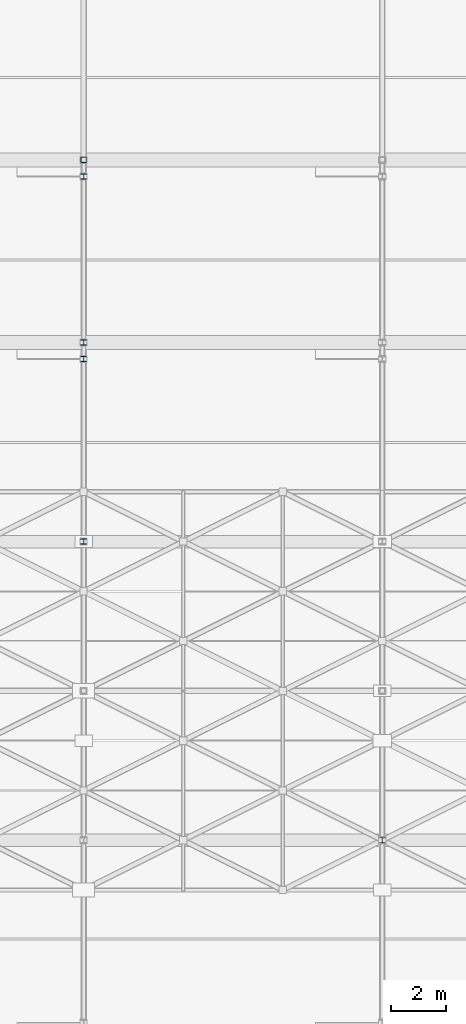
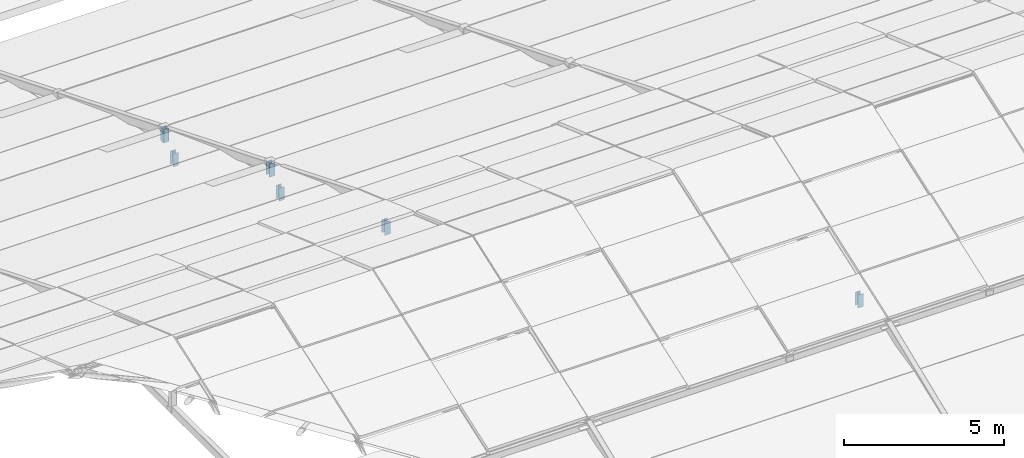
# One storey, part 77 of 112: 6 members.
"""IFC4 building model written with IfcOpenShell, lengths in metres."""

import ifcopenshell
import ifcopenshell.guid

model = None  # the IFC model being written
_history = None  # IfcOwnerHistory: only IFC2X3 demands one
_inside = {}  # id of a spatial element -> (the spatial element, [elements in it])
_under = {}  # id of a project, library or spatial element -> (it, [spatial elements below it])
_declared = {}  # id of a project -> (the project, [libraries it declares])
_typed = {}  # id of a type object -> (the type object, [elements of that type])
_made_of = {}  # id of a material, layer set ... -> (it, [elements and type objects made of it])


def new_model(schema):
    """Start an empty IFC model of exactly this schema.

    Asked for "IFC4X3", IfcOpenShell would pick the latest addendum, in which some entities
    have other attributes; the version numbers below select the first issue.
    IFC2X3 requires an IfcOwnerHistory on every rooted entity: one is made here for all.
    """
    global model, _history
    if schema == "IFC4X3":
        model = ifcopenshell.file(schema_version=(4, 3, 0, 0))
    else:
        model = ifcopenshell.file(schema=schema)
    _inside.clear()
    _under.clear()
    _declared.clear()
    _typed.clear()
    _made_of.clear()
    _history = None
    if model.schema == "IFC2X3":
        org = make("IfcOrganization", Name="unknown")
        user = make(
            "IfcPersonAndOrganization",
            ThePerson=make("IfcPerson", FamilyName="unknown"),
            TheOrganization=org,
        )
        app = make(
            "IfcApplication",
            ApplicationDeveloper=org,
            Version="unknown",
            ApplicationFullName="unknown",
            ApplicationIdentifier="unknown",
        )
        _history = make(
            "IfcOwnerHistory",
            OwningUser=user,
            OwningApplication=app,
            ChangeAction="ADDED",
            CreationDate=0,
        )
    return model


def make(cls, **values):
    """One entity of the class cls with the attributes given. An attribute that is None is left unset."""
    return model.create_entity(
        cls, **{name: value for name, value in values.items() if value is not None}
    )


def rooted(cls, **values):
    """An entity with a GlobalId (a new one), such as an element, a storey or a relation."""
    return make(cls, GlobalId=ifcopenshell.guid.new(), OwnerHistory=_history, **values)


def si_unit(unit_type, name, prefix=None):
    """IfcSIUnit, for example si_unit("LENGTHUNIT", "METRE", prefix="MILLI")."""
    return make("IfcSIUnit", UnitType=unit_type, Prefix=prefix, Name=name)


def assignment(units):
    """IfcUnitAssignment: the units of a project."""
    return None if units is None else make("IfcUnitAssignment", Units=units)


def point(xyz):
    """IfcCartesianPoint."""
    return None if xyz is None else make("IfcCartesianPoint", Coordinates=xyz)


def direction(xyz):
    """IfcDirection."""
    return None if xyz is None else make("IfcDirection", DirectionRatios=xyz)


def frame(location, z_axis=None, x_axis=None):
    """IfcAxis2Placement3D, a coordinate frame: its origin and axes. An axis left out is left unset."""
    return make(
        "IfcAxis2Placement3D",
        Location=point(location),
        Axis=direction(z_axis),
        RefDirection=direction(x_axis),
    )


def frame_2d(location, x_axis=None):
    """IfcAxis2Placement2D, a coordinate frame in the plane: its origin and x axis."""
    return make(
        "IfcAxis2Placement2D", Location=point(location), RefDirection=direction(x_axis)
    )


def origin():
    """The frame at (0, 0, 0) with its axes left unset."""
    return frame((0.0, 0.0, 0.0))


def origin_2d():
    """The frame at (0, 0) in the plane with its x axis left unset."""
    return frame_2d((0.0, 0.0))


def place(relative_to, where):
    """IfcLocalPlacement: puts the frame where relative to a parent placement (None: the world)."""
    return make(
        "IfcLocalPlacement", PlacementRelTo=relative_to, RelativePlacement=where
    )


def context(
    kind, dimensions, precision=None, world=None, true_north=None, identifier=None
):
    """IfcGeometricRepresentationContext, for example the 3D "Model" context."""
    return make(
        "IfcGeometricRepresentationContext",
        ContextIdentifier=identifier,
        ContextType=kind,
        CoordinateSpaceDimension=dimensions,
        Precision=precision,
        WorldCoordinateSystem=world,
        TrueNorth=true_north,
    )


def subcontext(parent, identifier, kind, view, scale=None):
    """IfcGeometricRepresentationSubContext, for example "Body" below "Model"."""
    return make(
        "IfcGeometricRepresentationSubContext",
        ContextIdentifier=identifier,
        ContextType=kind,
        ParentContext=parent,
        TargetScale=scale,
        TargetView=view,
    )


def project(units=None, contexts=None):
    """IfcProject with its units and contexts."""
    return rooted(
        "IfcProject",
        Name="project",
        RepresentationContexts=contexts,
        UnitsInContext=assignment(units),
    )


def spatial(cls, under=None, at=None, **own):
    """A site, building, storey or space (cls), placed at a placement, below another one or the project."""
    s = rooted(cls, ObjectPlacement=at, **own)
    if under is not None:
        _under.setdefault(under.id(), (under, []))[1].append(s)
    return s


def profile(cls, at=None, kind="AREA", **sizes):
    """A parametric profile (cls). Its sizes go by their IFC names, for example OverallWidth=200.0."""
    return make(cls, ProfileType=kind, Position=at, **sizes)


def hollow_rectangle(**sizes):
    """IfcRectangleHollowProfileDef."""
    return profile("IfcRectangleHollowProfileDef", **sizes)


def i_section(**sizes):
    """IfcIShapeProfileDef."""
    return profile("IfcIShapeProfileDef", **sizes)


def extrude(swept, where, along, depth):
    """IfcExtrudedAreaSolid: the profile swept, set in the frame where, extruded along a direction by depth."""
    return make(
        "IfcExtrudedAreaSolid",
        SweptArea=swept,
        Position=where,
        ExtrudedDirection=direction(along),
        Depth=depth,
    )


def shape(context_of_items, identifier, shape_type, items):
    """IfcShapeRepresentation: the items that make up one representation, for example the "Body"."""
    return make(
        "IfcShapeRepresentation",
        ContextOfItems=context_of_items,
        RepresentationIdentifier=identifier,
        RepresentationType=shape_type,
        Items=items,
    )


def material(Name=None, Category=None):
    """IfcMaterial."""
    return make("IfcMaterial", Name=Name, Category=Category)


def material_profile(
    of_material, cross_section, Name=None, Category=None, Priority=None
):
    """IfcMaterialProfile: a cross section and its material."""
    return make(
        "IfcMaterialProfile",
        Name=Name,
        Material=of_material,
        Profile=cross_section,
        Priority=Priority,
        Category=Category,
    )


def profile_set(profiles, Name=None, composite=None):
    """IfcMaterialProfileSet."""
    return make(
        "IfcMaterialProfileSet",
        Name=Name,
        MaterialProfiles=profiles,
        CompositeProfile=composite,
    )


def made_of(thing, what):
    """Note that an element or type object is made of a material, layer set ...; save() writes the relation."""
    if what is not None:
        _made_of.setdefault(what.id(), (what, []))[1].append(thing)
    return thing


def type_object(cls, material=None, **own):
    """A type object (cls), such as IfcWallType, which elements share."""
    return made_of(rooted(cls, **own), material)


def element(
    cls,
    number,
    at=None,
    inside=None,
    cuts=None,
    type_object=None,
    material=None,
    context=None,
    identifier="Body",
    shape_type=None,
    held_by="IfcProductDefinitionShape",
    body=None,
    shapes=None,
    **own,
):
    """One element of the class cls, such as IfcWall. Its Tag is "e" and its number.

    at: its placement. inside: the storey or other place that contains it. cuts: it is an
    opening in that element (IfcRelVoidsElement). A single representation is given by context,
    identifier, shape_type and body (its items); several are given by shapes. held_by: the class
    of the entity that holds the representations. save() writes the other relations.
    """
    e = rooted(cls, Tag="e%d" % number, ObjectPlacement=at, **own)
    if body is not None:
        shapes = [shape(context, identifier, shape_type, body)]
    if shapes is not None:
        e.Representation = make(held_by, Representations=shapes)
    if inside is not None:
        _inside.setdefault(inside.id(), (inside, []))[1].append(e)
    if cuts is not None:
        rooted(
            "IfcRelVoidsElement", RelatingBuildingElement=cuts, RelatedOpeningElement=e
        )
    if type_object is not None:
        _typed.setdefault(type_object.id(), (type_object, []))[1].append(e)
    return made_of(e, material)


def aggregate(whole, parts):
    """IfcRelAggregates: a whole, such as a stair, and the parts it consists of."""
    return rooted("IfcRelAggregates", RelatingObject=whole, RelatedObjects=parts)


def save(model, path):
    """Write the relations noted so far, then the file.

    IfcRelAggregates (storeys below a building ...), IfcRelContainedInSpatialStructure (elements
    in a storey), IfcRelDefinesByType, IfcRelAssociatesMaterial and IfcRelDeclares: one each for
    every whole, place, type object, material and project.
    """
    for whole, parts in _under.values():
        aggregate(whole, parts)
    for where, things in _inside.values():
        rooted(
            "IfcRelContainedInSpatialStructure",
            RelatedElements=things,
            RelatingStructure=where,
        )
    for kind, things in _typed.values():
        rooted("IfcRelDefinesByType", RelatedObjects=things, RelatingType=kind)
    for what, things in _made_of.values():
        rooted("IfcRelAssociatesMaterial", RelatedObjects=things, RelatingMaterial=what)
    for by, libraries in _declared.values():
        rooted("IfcRelDeclares", RelatingContext=by, RelatedDefinitions=libraries)
    model.write(path)


model = new_model("IFC4")

# Units and contexts
model_context = context("Model", 3, precision=1e-05, world=origin(), true_north=direction((0.0, 1.0)))
body_context = subcontext(model_context, "Body", "Model", "MODEL_VIEW")
ifc_project = project(units=[si_unit("LENGTHUNIT", "METRE"), si_unit("AREAUNIT", "SQUARE_METRE"), si_unit("VOLUMEUNIT", "CUBIC_METRE"), si_unit("PLANEANGLEUNIT", "RADIAN"), si_unit("MASSUNIT", "GRAM", prefix="KILO")], contexts=[model_context])

# Site, building, storey
site_placement = place(None, origin())
site = spatial("IfcSite", under=ifc_project, at=site_placement, CompositionType="ELEMENT")
building_placement = place(site_placement, origin())
building = spatial("IfcBuilding", under=site, at=building_placement, Name="Zwinboog Wholesale Market", CompositionType="ELEMENT")
storey_placement = place(building_placement, frame((0.0, 0.0, 19.080078125)))
storey = spatial("IfcBuildingStorey", under=building, at=storey_placement, Name="Roof", CompositionType="ELEMENT", Elevation=19.080078125)

# Members
ifc_material = material(Name="Steel S355", Category="steel")
ifc_material_profile_1 = material_profile(ifc_material, hollow_rectangle(XDim=0.199951171875, YDim=0.199951171875, WallThickness=0.010009765625, InnerFilletRadius=0.010009765625, OuterFilletRadius=0.02001953125, at=origin_2d()), Name="SHS 200x200x10")
ifc_profile_set_1 = profile_set([ifc_material_profile_1], Name="Steel S355")
member_type_1 = type_object("IfcMemberType", Name="MT-04", PredefinedType="BRACE", material=ifc_profile_set_1)
member_placement = place(storey_placement, frame((86.39990234375, 94.800048828125, -4.630126953125), z_axis=(0.0, 0.0, 1.0), x_axis=(1.0, 0.0, 0.0)))
element("IfcMember", 1, at=member_placement, inside=storey, type_object=member_type_1, Name="DB-01 (MEM-Roof-0081)", PredefinedType="BRACE", context=body_context, shape_type="SweptSolid", body=[
    extrude(hollow_rectangle(XDim=0.199951171875, YDim=0.199951171875, WallThickness=0.010009765625, InnerFilletRadius=0.010009765625, OuterFilletRadius=0.02001953125, at=origin_2d()), origin(), (0.0, 0.0, 1.0), 0.5),
])
ifc_material_profile_2 = material_profile(ifc_material, i_section(OverallWidth=0.199951171875, OverallDepth=0.18994140625, WebThickness=0.006591796875, FlangeThickness=0.010009765625, FilletRadius=0.01806640625, at=origin_2d()), Name="HEA 200")
ifc_profile_set_2 = profile_set([ifc_material_profile_2], Name="Steel S355")
member_type_2 = type_object("IfcMemberType", Name="MT-05", PredefinedType="BRACE", material=ifc_profile_set_2)
for number, where, z_axis, x_axis, name in (
    (2, (86.39990234375, 94.199951171875, -5.18017578125), (0.0, 0.0, 1.0), (1.0, 0.0, 0.0), "DB-02 (MEM-Roof-0079)"),
    (3, (86.39990234375, 87.60009765625, -2.47998046875), (0.0, 0.0, 1.0), (1.0, 0.0, 0.0), "DB-02 (MEM-Roof-0082)"),
    (4, (86.39990234375, 88.199951171875, -1.93017578125), (0.0, 0.0, 1.0), (1.0, 0.0, 0.0), "DB-02 (MEM-Roof-0084)"),
    (5, (86.39990234375, 81.0, 0.219970703125), (0.0, 0.0, 1.0), (1.0, 0.0, 0.0), "DB-02 (MEM-Roof-0085)"),
    (6, (97.199951171875, 70.199951171875, 0.219970703125), (0.0, 0.0, 1.0), (1.0, 0.0, 0.0), "DB-02 (MEM-Roof-0102)"),
):
    element("IfcMember", number, at=place(storey_placement, frame(where, z_axis=z_axis, x_axis=x_axis)), inside=storey, type_object=member_type_2, Name=name, PredefinedType="BRACE", context=body_context, shape_type="SweptSolid", body=[
        extrude(i_section(OverallWidth=0.199951171875, OverallDepth=0.18994140625, WebThickness=0.006591796875, FlangeThickness=0.010009765625, FilletRadius=0.01806640625, at=origin_2d()), origin(), (0.0, 0.0, 1.0), 0.5),
    ])

save(model, "model.ifc")
